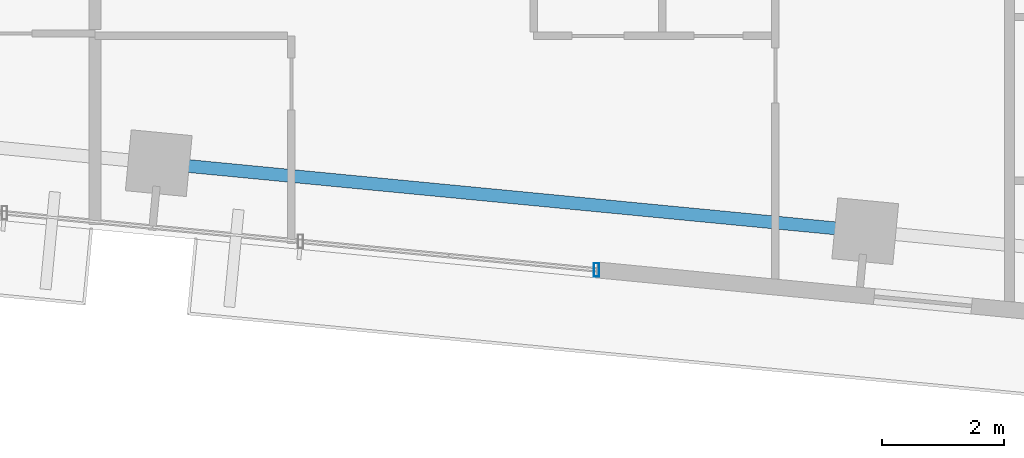
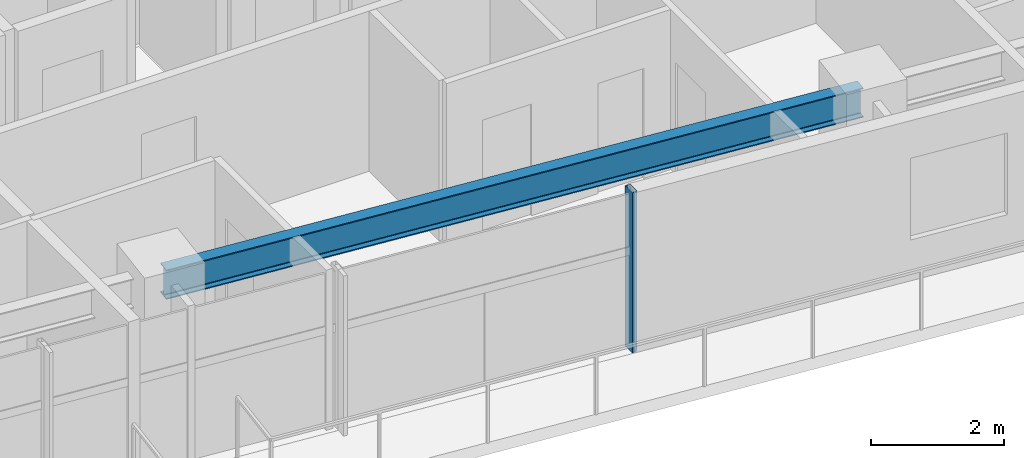
# One storey, part 8 of 19: 1 beam, 1 member, 1 element without a shape of its own.
"""IFC4 building model written with IfcOpenShell, lengths in metres."""

from ifc_helpers import new_model, si_unit, direction, frame, origin, origin_2d, place, context, subcontext, project, spatial, hollow_rectangle, i_section, extrude, source, transform, mapped, material, material_profile, profile_set, type_object, type_shapes, element, aggregate, save


model = new_model("IFC4")

# Units and contexts
model_context = context("Model", 3, precision=1e-05, world=origin(), true_north=direction((0.0, 1.0)))
body_context = subcontext(model_context, "Body", "Model", "MODEL_VIEW")
ifc_project = project(units=[si_unit("LENGTHUNIT", "METRE"), si_unit("AREAUNIT", "SQUARE_METRE"), si_unit("VOLUMEUNIT", "CUBIC_METRE"), si_unit("PLANEANGLEUNIT", "RADIAN"), si_unit("MASSUNIT", "GRAM", prefix="KILO")], contexts=[model_context])

# Site, building, storey
site_placement = place(None, origin())
site = spatial("IfcSite", under=ifc_project, at=site_placement, CompositionType="ELEMENT")
building_placement = place(site_placement, origin())
building = spatial("IfcBuilding", under=site, at=building_placement, Name="Astriad Promenade Condominiums", CompositionType="ELEMENT")
storey_placement = place(building_placement, frame((0.0, 0.0, 124.60009765625)))
storey = spatial("IfcBuildingStorey", under=building, at=storey_placement, Name="L35", CompositionType="ELEMENT", Elevation=124.60009765625)

# Beam
ifc_material_1 = material(Name="Steel ASTM A992 Grade 50", Category="steel")
ifc_material_profile_1 = material_profile(ifc_material_1, i_section(OverallWidth=0.210693359375, OverallDepth=0.53955078125, WebThickness=0.01171875, FlangeThickness=0.018798828125, FilletRadius=0.0166015625, at=origin_2d()), Name="W21X73")
ifc_profile_set_1 = profile_set([ifc_material_profile_1], Name="Steel ASTM A992 Grade 50")
beam_type = type_object("IfcBeamType", Name="STEEL SPANDREL BEAM W21X73", PredefinedType="SPANDREL", material=ifc_profile_set_1)
shared_shape_1 = source(origin(), body_context, "Body", "SweptSolid", [
    extrude(i_section(OverallWidth=0.210693359375, OverallDepth=0.53955078125, WebThickness=0.01171875, FlangeThickness=0.018798828125, FilletRadius=0.0166015625, at=origin_2d()), origin(), (0.0, 0.0, 1.0), 11.52001953125),
])
type_shapes(beam_type, [shared_shape_1])
beam_placement = place(storey_placement, frame((32.013671875, 8.2158203125, 2.670166015625), z_axis=(0.995397412028, -0.095833147335, 0.0), x_axis=(0.095833147335, 0.995397412028, 0.0)))
element("IfcBeam", 1, at=beam_placement, inside=storey, type_object=beam_type, Name="Perimeter Spandrel Beam SP-S3-L35", PredefinedType="SPANDREL", context=body_context, shape_type="MappedRepresentation", body=[
    mapped(shared_shape_1, transform((0.0, 0.0, 0.0), scale=1.0)),
])

# Curtain wall, member
ifc_material_2 = material(Name="Anodised aluminium Black Dark Glass Unitised", Category="aluminium")
curtain_wall_type = type_object("IfcCurtainWallType", Name="CW-B34-DARK", PredefinedType="USERDEFINED", material=ifc_material_2)
curtain_wall_placement = place(storey_placement, origin())
curtain_wall = element("IfcCurtainWall", 2, at=curtain_wall_placement, inside=storey, type_object=curtain_wall_type, Name="CW-L35-S", ObjectType="UNITISED_CURTAIN_WALL", PredefinedType="USERDEFINED")
ifc_material_3 = material(Name="Anodised aluminium 6063-T6 Black", Category="aluminium")
ifc_material_profile_2 = material_profile(ifc_material_3, hollow_rectangle(XDim=0.0849609375, YDim=0.219970703125, WallThickness=0.0048828125, at=origin_2d()), Name="ALU-MUL-85X220")
ifc_profile_set_2 = profile_set([ifc_material_profile_2], Name="Anodised aluminium 6063-T6 Black")
member_type = type_object("IfcMemberType", Name="MUL-ALU-MUL-85X220", PredefinedType="MULLION", material=ifc_profile_set_2)
shared_shape_2 = source(origin(), body_context, "Body", "SweptSolid", [
    extrude(hollow_rectangle(XDim=0.0849609375, YDim=0.219970703125, WallThickness=0.0048828125, at=origin_2d()), origin(), (0.0, 0.0, 1.0), 2.93994140625),
])
type_shapes(member_type, [shared_shape_2])
member_placement = place(storey_placement, frame((39.129638671875, 6.475830078125, 0.0), z_axis=(0.0, 0.0, 1.0), x_axis=(1.0, 0.0, 0.0)))
member = element("IfcMember", 3, at=member_placement, type_object=member_type, Name="CW-L35-S-MUL-00", PredefinedType="MULLION", context=body_context, shape_type="MappedRepresentation", body=[
    mapped(shared_shape_2, transform((0.0, 0.0, 0.0), scale=1.0)),
])
aggregate(curtain_wall, [member])

save(model, "model.ifc")
